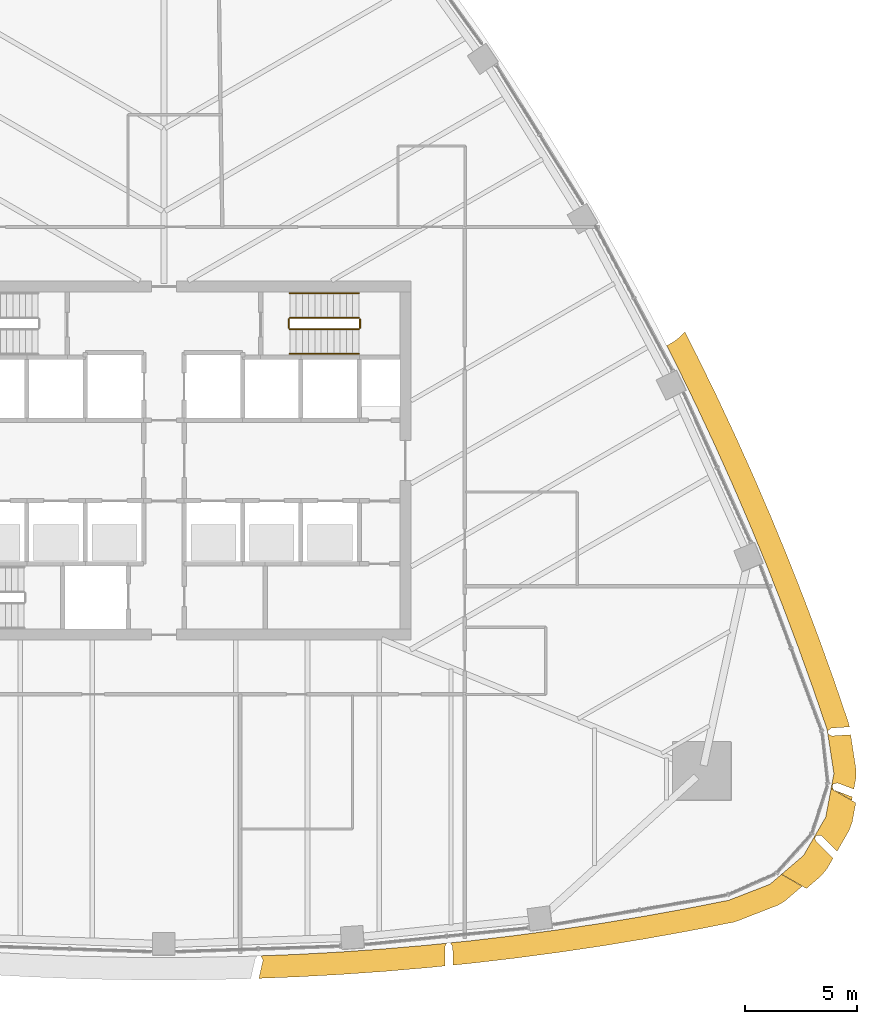
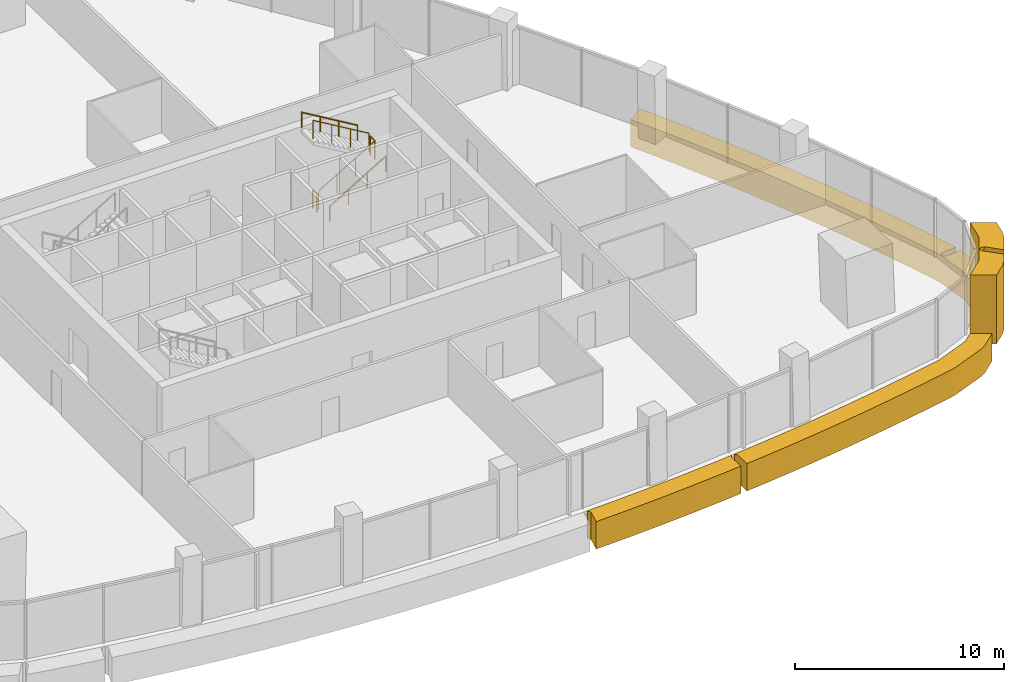
# One storey, part 14 of 16: 6 railings, 4 coverings.
"""IFC4 building model written with IfcOpenShell, lengths in metres."""

from ifc_helpers import new_model, si_unit, direction, frame, origin, origin_2d, place, context, subcontext, project, spatial, polyline, circle, outline, extrude, material, layer, layer_set, type_object, element, save


model = new_model("IFC4")

# Units and contexts
model_context = context("Model", 3, precision=1e-05, world=origin(), true_north=direction((0.0, 1.0)))
body_context = subcontext(model_context, "Body", "Model", "MODEL_VIEW")
ifc_project = project(units=[si_unit("LENGTHUNIT", "METRE"), si_unit("AREAUNIT", "SQUARE_METRE"), si_unit("VOLUMEUNIT", "CUBIC_METRE"), si_unit("PLANEANGLEUNIT", "RADIAN"), si_unit("MASSUNIT", "GRAM", prefix="KILO")], contexts=[model_context])

# Site, building, storey
site_placement = place(None, origin())
site = spatial("IfcSite", under=ifc_project, at=site_placement, CompositionType="ELEMENT")
building_placement = place(site_placement, origin())
building = spatial("IfcBuilding", under=site, at=building_placement, Name="Sierra Prisma Convention Tower", CompositionType="ELEMENT")
storey_placement = place(building_placement, frame((0.0, 0.0, 165.800048828125)))
storey = spatial("IfcBuildingStorey", under=building, at=storey_placement, Name="L36", CompositionType="ELEMENT", Elevation=165.800048828125)

# Coverings
ifc_material_1 = material(Name="Aluminium composite bronze anodised", Category="aluminium")
ifc_layer_1 = layer(ifc_material_1, 1.199951171875)
ifc_layer_set_1 = layer_set([ifc_layer_1], Name="Bronze corner pier")
covering_type_1 = type_object("IfcCoveringType", Name="Bronze corner pier", PredefinedType="CLADDING", material=ifc_layer_set_1)
covering_1_placement = place(storey_placement, frame((0.0, 0.0, -0.60009765625)))
element("IfcCovering", 1, at=covering_1_placement, inside=storey, type_object=covering_type_1, Name="Corner pier SE L36.1", PredefinedType="CLADDING", context=body_context, shape_type="SweptSolid", body=[
    extrude(outline(polyline([(29.275390625, -16.705078125), (29.270751953125, -16.702880859375), (29.26611328125, -16.701171875), (29.26123046875, -16.7001953125), (29.25634765625, -16.699462890625), (29.089111328125, -16.6845703125), (29.084228515625, -16.684326171875), (29.07958984375, -16.6845703125), (29.074951171875, -16.685302734375), (29.0703125, -16.686279296875), (29.06591796875, -16.68798828125), (29.0615234375, -16.68994140625), (29.0576171875, -16.6923828125), (29.0537109375, -16.695068359375), (29.050048828125, -16.697998046875), (29.046875, -16.70166015625), (29.0439453125, -16.705322265625), (29.041259765625, -16.709228515625), (28.9912109375, -16.7958984375), (28.989013671875, -16.80029296875), (28.9873046875, -16.804931640625), (28.98583984375, -16.8095703125), (28.985107421875, -16.814453125), (28.984619140625, -16.819580078125), (28.984619140625, -16.824462890625), (28.9853515625, -16.829345703125), (28.986328125, -16.834228515625), (28.98779296875, -16.8388671875), (29.028564453125, -16.94384765625), (29.030517578125, -16.94873046875), (29.033203125, -16.953125), (29.036376953125, -16.95751953125), (29.039794921875, -16.961181640625), (29.789306640625, -17.710693359375), (29.518310546875, -18.18017578125), (29.260498046875, -18.49072265625), (28.603515625, -19.0546875), (27.501953125, -18.418701171875), (28.479248046875, -17.580078125), (29.46435546875, -15.873779296875), (29.701904296875, -14.608154296875), (30.803466796875, -15.244140625), (30.643798828125, -16.09521484375), (30.503662109375, -16.4736328125), (29.970458984375, -17.39697265625), (29.287353515625, -16.7138671875), (29.28369140625, -16.71044921875), (29.279541015625, -16.70751953125), (29.275390625, -16.705078125)])), origin(), (0.0, 0.0, 1.0), 4.0),
])
ifc_material_2 = material(Name="Aluminium composite bronze anodised", Category="aluminium")
ifc_layer_2 = layer(ifc_material_2, 1.0)
ifc_layer_set_2 = layer_set([ifc_layer_2], Name="Bronze spandrel band")
covering_type_2 = type_object("IfcCoveringType", Name="Bronze spandrel band", PredefinedType="CLADDING", material=ifc_layer_set_2)
covering_2_placement = place(storey_placement, frame((0.0, 0.0, -1.60009765625)))
element("IfcCovering", 2, at=covering_2_placement, inside=storey, type_object=covering_type_2, Name="Spandrel band L36.3", PredefinedType="CLADDING", context=body_context, shape_type="SweptSolid", body=[
    extrude(outline(polyline([(27.763671875, -4.297607421875), (27.769287109375, -4.31201171875), (28.484375, -6.123779296875), (28.489990234375, -6.13818359375), (29.176513671875, -7.9609375), (29.181884765625, -7.9755859375), (29.84033203125, -9.80859375), (29.845458984375, -9.8232421875), (30.47509765625, -11.666259765625), (30.51708984375, -11.837890625), (30.5205078125, -11.859375), (29.727294921875, -11.911376953125), (29.72216796875, -11.911865234375), (29.71728515625, -11.912841796875), (29.71240234375, -11.91455078125), (29.7080078125, -11.91650390625), (29.70361328125, -11.9189453125), (29.699462890625, -11.922119140625), (29.581298828125, -12.015380859375), (29.57763671875, -12.018798828125), (29.574462890625, -12.022216796875), (29.571533203125, -12.02587890625), (29.569091796875, -12.030029296875), (29.56689453125, -12.0341796875), (29.56494140625, -12.038818359375), (29.563720703125, -12.043212890625), (29.56298828125, -12.048095703125), (29.5625, -12.052734375), (29.5625, -12.0576171875), (29.56298828125, -12.062255859375), (29.578125, -12.1611328125), (29.5791015625, -12.166015625), (29.58056640625, -12.17041015625), (29.58251953125, -12.175048828125), (29.584716796875, -12.17919921875), (29.58740234375, -12.183349609375), (29.590576171875, -12.18701171875), (29.593994140625, -12.1904296875), (29.59765625, -12.193603515625), (29.601806640625, -12.1962890625), (29.60595703125, -12.198486328125), (29.72509765625, -12.255615234375), (29.72998046875, -12.2578125), (29.73486328125, -12.25927734375), (29.73974609375, -12.260009765625), (29.744873046875, -12.260498046875), (29.75, -12.260498046875), (30.57373046875, -12.206787109375), (30.81640625, -13.785400390625), (30.810791015625, -14.12158203125), (30.715087890625, -14.630615234375), (29.997314453125, -14.360107421875), (29.992919921875, -14.358642578125), (29.98828125, -14.357666015625), (29.983642578125, -14.357177734375), (29.97900390625, -14.35693359375), (29.974365234375, -14.357177734375), (29.9697265625, -14.35791015625), (29.96533203125, -14.35888671875), (29.8125, -14.40478515625), (29.807861328125, -14.406494140625), (29.80322265625, -14.408447265625), (29.799072265625, -14.4111328125), (29.795166015625, -14.4140625), (29.79150390625, -14.41748046875), (29.7880859375, -14.421142578125), (29.78515625, -14.425048828125), (29.78271484375, -14.429443359375), (29.780517578125, -14.433837890625), (29.77880859375, -14.438720703125), (29.777587890625, -14.443359375), (29.75927734375, -14.541748046875), (29.758544921875, -14.546875), (29.75830078125, -14.552001953125), (29.7587890625, -14.55712890625), (29.759765625, -14.562255859375), (29.760986328125, -14.567138671875), (29.76318359375, -14.572021484375), (29.765380859375, -14.57666015625), (29.768310546875, -14.580810546875), (29.771728515625, -14.5849609375), (29.854736328125, -14.6748046875), (29.858154296875, -14.677978515625), (29.86181640625, -14.680908203125), (29.865478515625, -14.68359375), (29.86962890625, -14.685791015625), (29.873779296875, -14.687744140625), (30.649658203125, -14.979736328125), (30.621826171875, -15.127685546875), (29.703857421875, -14.59765625), (29.827880859375, -13.93701171875), (29.52880859375, -11.989501953125), (28.899169921875, -10.146484375), (28.24072265625, -8.3134765625), (27.55419921875, -6.490966796875), (26.839111328125, -4.67919921875), (26.09619140625, -2.87890625), (25.3251953125, -1.090087890625), (24.526611328125, 0.68603515625), (23.700439453125, 2.449951171875), (22.846923828125, 4.20068359375), (22.384521484375, 5.11279296875), (22.48974609375, 5.1689453125), (22.701416015625, 5.29541015625), (22.8994140625, 5.44189453125), (23.08251953125, 5.607177734375), (23.193359375, 5.72900390625), (23.739013671875, 4.652587890625), (23.745849609375, 4.638916015625), (24.599365234375, 2.88818359375), (24.60595703125, 2.8740234375), (25.43212890625, 1.1103515625), (25.438720703125, 1.09619140625), (26.2373046875, -0.68017578125), (26.24365234375, -0.6943359375), (27.014404296875, -2.48291015625), (27.0205078125, -2.497314453125), (27.763671875, -4.297607421875)])), origin(), (0.0, 0.0, 1.0), 1.60009765625),
])
covering_3_placement = place(storey_placement, frame((0.0, 0.0, -1.60009765625)))
element("IfcCovering", 3, at=covering_3_placement, inside=storey, type_object=covering_type_2, Name="Spandrel band L36.4", PredefinedType="CLADDING", context=body_context, shape_type="SweptSolid", body=[
    extrude(outline(polyline([(25.3408203125, -20.55908203125), (23.429931640625, -20.935302734375), (23.41455078125, -20.93798828125), (21.498046875, -21.28466796875), (21.482666015625, -21.287353515625), (19.560791015625, -21.60400390625), (19.545654296875, -21.606201171875), (17.619140625, -21.89306640625), (17.603759765625, -21.89501953125), (15.673095703125, -22.15185546875), (15.65771484375, -22.15380859375), (13.72314453125, -22.38037109375), (13.707763671875, -22.382080078125), (12.8671875, -22.46728515625), (12.855712890625, -21.648193359375), (12.85546875, -21.643310546875), (12.854736328125, -21.63818359375), (12.853271484375, -21.63330078125), (12.8515625, -21.628662109375), (12.849365234375, -21.624267578125), (12.846435546875, -21.619873046875), (12.75927734375, -21.497314453125), (12.756103515625, -21.493408203125), (12.7529296875, -21.489990234375), (12.749267578125, -21.48681640625), (12.745361328125, -21.484130859375), (12.7412109375, -21.481689453125), (12.73681640625, -21.479736328125), (12.732421875, -21.478271484375), (12.727783203125, -21.47705078125), (12.724853515625, -21.476806640625), (13.606689453125, -21.38720703125), (15.541259765625, -21.16064453125), (17.471923828125, -20.90380859375), (19.3984375, -20.6171875), (21.320068359375, -20.300537109375), (23.23681640625, -19.9541015625), (25.147705078125, -19.577880859375), (26.98388671875, -18.86328125), (27.493896484375, -18.425537109375), (28.411865234375, -18.95556640625), (27.635009765625, -19.6220703125), (27.3466796875, -19.795166015625), (25.510498046875, -20.509765625), (25.3408203125, -20.55908203125)])), origin(), (0.0, 0.0, 1.0), 1.60009765625),
])
covering_4_placement = place(storey_placement, frame((0.0, 0.0, -1.60009765625)))
element("IfcCovering", 4, at=covering_4_placement, inside=storey, type_object=covering_type_2, Name="Spandrel band L36.5", PredefinedType="CLADDING", context=body_context, shape_type="SweptSolid", body=[
    extrude(outline(polyline([(4.4033203125, -22.225830078125), (4.32666015625, -22.076416015625), (4.32421875, -22.072265625), (4.321533203125, -22.068359375), (4.318359375, -22.064697265625), (4.31494140625, -22.061279296875), (4.311279296875, -22.05859375), (4.307373046875, -22.055908203125), (4.302978515625, -22.0537109375), (4.299560546875, -22.05224609375), (5.8408203125, -21.9921875), (7.78564453125, -21.88623046875), (9.728515625, -21.750244140625), (11.669189453125, -21.583740234375), (12.602783203125, -21.489013671875), (12.599853515625, -21.489990234375), (12.595458984375, -21.4921875), (12.59130859375, -21.49462890625), (12.58740234375, -21.49755859375), (12.583740234375, -21.500732421875), (12.58056640625, -21.50439453125), (12.57763671875, -21.50830078125), (12.5751953125, -21.512451171875), (12.511962890625, -21.62841796875), (12.509765625, -21.633056640625), (12.508056640625, -21.637939453125), (12.506591796875, -21.642822265625), (12.506103515625, -21.64794921875), (12.505859375, -21.653076171875), (12.517578125, -22.502685546875), (11.77001953125, -22.57861328125), (11.75439453125, -22.580078125), (9.81396484375, -22.74658203125), (9.798583984375, -22.747802734375), (7.855712890625, -22.8837890625), (7.840087890625, -22.885009765625), (5.895263671875, -22.99072265625), (5.8798828125, -22.991455078125), (4.226806640625, -23.055908203125), (4.407470703125, -22.259521484375), (4.408203125, -22.254638671875), (4.40869140625, -22.249755859375), (4.408447265625, -22.244873046875), (4.407958984375, -22.239990234375), (4.40673828125, -22.235107421875), (4.4052734375, -22.230224609375), (4.4033203125, -22.225830078125)])), origin(), (0.0, 0.0, 1.0), 1.60009765625),
])

# Railings
ifc_material_3 = material(Name="Stainless steel", Category="steel")
railing_type_1 = type_object("IfcRailingType", Name="Exit stair handrail", PredefinedType="HANDRAIL", material=ifc_material_3)
railing_1_placement = place(storey_placement, frame((5.60009765625, 4.75, 0.16650390625)))
element("IfcRailing", 5, at=railing_1_placement, inside=storey, type_object=railing_type_1, Name="L36 S4 stair handrail 1", PredefinedType="HANDRAIL", context=body_context, shape_type="SweptSolid", body=[
    extrude(circle(Radius=0.02392578125, at=origin_2d()), frame((0.0, 0.0, 0.8759765625), z_axis=(0.859260807169, 0.0, 0.511537745687), x_axis=(0.0, 1.0, 0.0)), (0.0, 0.0, 1.0), 3.584228515625),
    extrude(circle(Radius=0.02099609375, at=origin_2d()), origin(), (0.0, 0.0, 1.0), 0.851806640625),
    extrude(circle(Radius=0.02099609375, at=origin_2d()), frame((1.026611328125, 0.0, 0.611083984375)), (0.0, 0.0, 1.0), 0.851806640625),
    extrude(circle(Radius=0.02099609375, at=origin_2d()), frame((2.05322265625, 0.0, 1.222412109375)), (0.0, 0.0, 1.0), 0.851806640625),
    extrude(circle(Radius=0.02099609375, at=origin_2d()), frame((3.079833984375, 0.0, 1.83349609375)), (0.0, 0.0, 1.0), 0.851806640625),
])
railing_2_placement = place(storey_placement, frame((8.679931640625, 7.449951171875, 2.16650390625)))
element("IfcRailing", 6, at=railing_2_placement, inside=storey, type_object=railing_type_1, Name="L36 S4 stair handrail 2", PredefinedType="HANDRAIL", context=body_context, shape_type="SweptSolid", body=[
    extrude(circle(Radius=0.02392578125, at=origin_2d()), frame((0.0, 0.0, 0.8759765625), z_axis=(-0.859260807169, 0.0, 0.511537745687), x_axis=(0.0, -1.0, 0.0)), (0.0, 0.0, 1.0), 3.584228515625),
    extrude(circle(Radius=0.02099609375, at=origin_2d()), origin(), (0.0, 0.0, 1.0), 0.851806640625),
    extrude(circle(Radius=0.02099609375, at=origin_2d()), frame((-1.026611328125, 0.0, 0.611083984375)), (0.0, 0.0, 1.0), 0.851806640625),
    extrude(circle(Radius=0.02099609375, at=origin_2d()), frame((-2.05322265625, 0.0, 1.222412109375)), (0.0, 0.0, 1.0), 0.851806640625),
    extrude(circle(Radius=0.02099609375, at=origin_2d()), frame((-3.079833984375, 0.0, 1.83349609375)), (0.0, 0.0, 1.0), 0.851806640625),
])
ifc_material_4 = material(Name="Stainless steel", Category="steel")
railing_type_2 = type_object("IfcRailingType", Name="Stair guard 1100", PredefinedType="GUARDRAIL", material=ifc_material_4)
railing_3_placement = place(storey_placement, frame((5.60009765625, 5.85009765625, 0.16650390625)))
element("IfcRailing", 7, at=railing_3_placement, inside=storey, type_object=railing_type_2, Name="L36 S4 stair guard 1", PredefinedType="GUARDRAIL", context=body_context, shape_type="SweptSolid", body=[
    extrude(circle(Radius=0.02392578125, at=origin_2d()), frame((0.0, 0.0, 1.076171875), z_axis=(0.859260807169, 0.0, 0.511537745687), x_axis=(0.0, 1.0, 0.0)), (0.0, 0.0, 1.0), 3.584228515625),
    extrude(circle(Radius=0.02099609375, at=origin_2d()), origin(), (0.0, 0.0, 1.0), 1.052001953125),
    extrude(circle(Radius=0.02099609375, at=origin_2d()), frame((1.026611328125, 0.0, 0.611083984375)), (0.0, 0.0, 1.0), 1.052001953125),
    extrude(circle(Radius=0.02099609375, at=origin_2d()), frame((2.05322265625, 0.0, 1.222412109375)), (0.0, 0.0, 1.0), 1.052001953125),
    extrude(circle(Radius=0.02099609375, at=origin_2d()), frame((3.079833984375, 0.0, 1.83349609375)), (0.0, 0.0, 1.0), 1.052001953125),
])
railing_4_placement = place(storey_placement, frame((8.72998046875, 5.89990234375, 2.0)))
element("IfcRailing", 8, at=railing_4_placement, inside=storey, type_object=railing_type_2, Name="L36 S4 stair guard 2", PredefinedType="GUARDRAIL", context=body_context, shape_type="SweptSolid", body=[
    extrude(circle(Radius=0.02392578125, at=origin_2d()), frame((0.0, 0.0, 1.076171875), z_axis=(0.0, 1.0, 0.0), x_axis=(-1.0, 0.0, 0.0)), (0.0, 0.0, 1.0), 0.400146484375),
    extrude(circle(Radius=0.02099609375, at=origin_2d()), origin(), (0.0, 0.0, 1.0), 1.052001953125),
    extrude(circle(Radius=0.02099609375, at=origin_2d()), frame((0.0, 0.400146484375, 0.0)), (0.0, 0.0, 1.0), 1.052001953125),
])
railing_5_placement = place(storey_placement, frame((8.679931640625, 6.35009765625, 2.16650390625)))
element("IfcRailing", 9, at=railing_5_placement, inside=storey, type_object=railing_type_2, Name="L36 S4 stair guard 3", PredefinedType="GUARDRAIL", context=body_context, shape_type="SweptSolid", body=[
    extrude(circle(Radius=0.02392578125, at=origin_2d()), frame((0.0, 0.0, 1.076171875), z_axis=(-0.859260807169, 0.0, 0.511537745687), x_axis=(0.0, -1.0, 0.0)), (0.0, 0.0, 1.0), 3.584228515625),
    extrude(circle(Radius=0.02099609375, at=origin_2d()), origin(), (0.0, 0.0, 1.0), 1.052001953125),
    extrude(circle(Radius=0.02099609375, at=origin_2d()), frame((-1.026611328125, 0.0, 0.611083984375)), (0.0, 0.0, 1.0), 1.052001953125),
    extrude(circle(Radius=0.02099609375, at=origin_2d()), frame((-2.05322265625, 0.0, 1.222412109375)), (0.0, 0.0, 1.0), 1.052001953125),
    extrude(circle(Radius=0.02099609375, at=origin_2d()), frame((-3.079833984375, 0.0, 1.83349609375)), (0.0, 0.0, 1.0), 1.052001953125),
])
railing_6_placement = place(storey_placement, frame((5.550048828125, 5.89990234375, 0.0)))
element("IfcRailing", 10, at=railing_6_placement, inside=storey, type_object=railing_type_2, Name="L36 S4 stair guard 4", PredefinedType="GUARDRAIL", context=body_context, shape_type="SweptSolid", body=[
    extrude(circle(Radius=0.02392578125, at=origin_2d()), frame((0.0, 0.0, 1.076171875), z_axis=(0.0, 1.0, 0.0), x_axis=(-1.0, 0.0, 0.0)), (0.0, 0.0, 1.0), 0.400146484375),
    extrude(circle(Radius=0.02099609375, at=origin_2d()), origin(), (0.0, 0.0, 1.0), 1.052001953125),
    extrude(circle(Radius=0.02099609375, at=origin_2d()), frame((0.0, 0.400146484375, 0.0)), (0.0, 0.0, 1.0), 1.052001953125),
])

save(model, "model.ifc")
